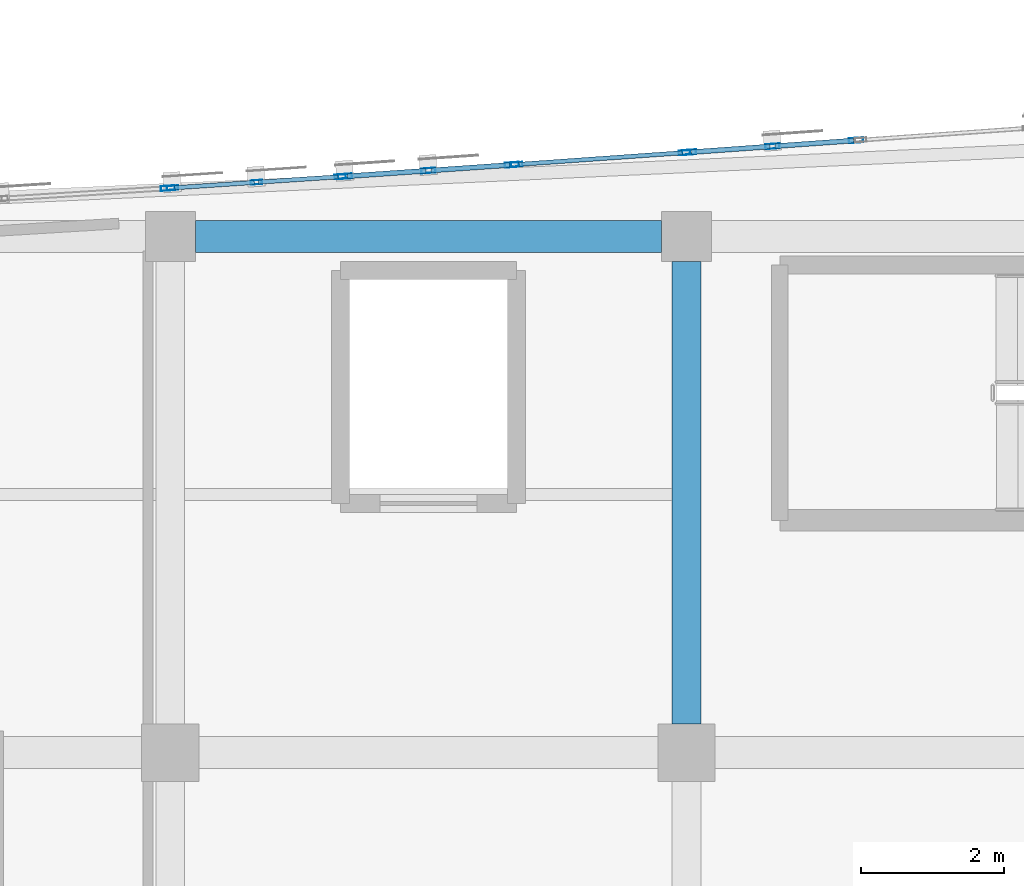
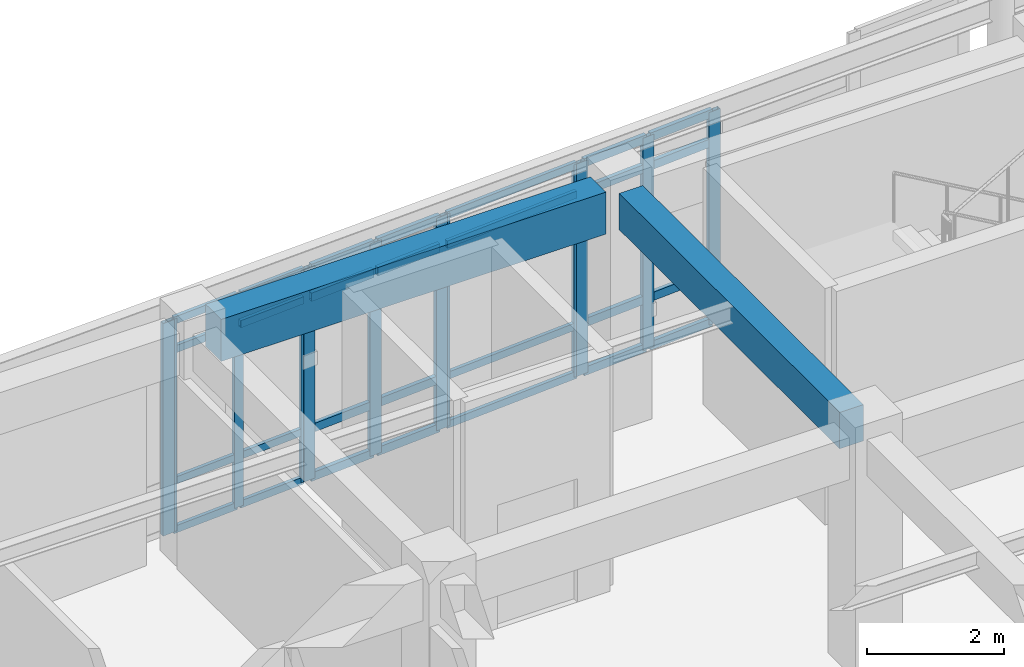
# One storey, part 29 of 106: 40 members, 2 beams, 5 elements without a shape of their own.
"""IFC4 building model written with IfcOpenShell, lengths in metres."""

from ifc_helpers import new_model, si_unit, direction, frame, origin, origin_2d, place, context, subcontext, project, spatial, rectangle, hollow_rectangle, extrude, material, layer, layer_set, material_profile, profile_set, type_object, element, aggregate, save


model = new_model("IFC4")

# Units and contexts
model_context = context("Model", 3, precision=1e-05, world=origin(), true_north=direction((0.0, 1.0)))
body_context = subcontext(model_context, "Body", "Model", "MODEL_VIEW")
ifc_project = project(units=[si_unit("LENGTHUNIT", "METRE"), si_unit("AREAUNIT", "SQUARE_METRE"), si_unit("VOLUMEUNIT", "CUBIC_METRE"), si_unit("PLANEANGLEUNIT", "RADIAN"), si_unit("MASSUNIT", "GRAM", prefix="KILO")], contexts=[model_context])

# Site, building, storey
site_placement = place(None, origin())
site = spatial("IfcSite", under=ifc_project, at=site_placement, CompositionType="ELEMENT")
building_placement = place(site_placement, origin())
building = spatial("IfcBuilding", under=site, at=building_placement, Name="Carrowvane Square Congress Hotel", CompositionType="ELEMENT")
storey_placement = place(building_placement, frame((0.0, 0.0, 10.5)))
storey = spatial("IfcBuildingStorey", under=building, at=storey_placement, Name="L02", CompositionType="ELEMENT", Elevation=10.5)

# Beams
ifc_material_1 = material(Name="Concrete C35/45", Category="concrete")
ifc_material_profile_1 = material_profile(ifc_material_1, rectangle(XDim=0.39990234375, YDim=0.64990234375, at=origin_2d()), Name="RC 400x650")
ifc_profile_set_1 = profile_set([ifc_material_profile_1], Name="Concrete C35/45")
beam_type_1 = type_object("IfcBeamType", Name="BM-RC-400x650", PredefinedType="BEAM", material=ifc_profile_set_1)
beam_1_placement = place(storey_placement, frame((54.800048828125, 106.60009765625, 3.89501953125), z_axis=(0.0, 1.0, 0.0), x_axis=(-1.0, 0.0, 0.0)))
element("IfcBeam", 1, at=beam_1_placement, inside=storey, type_object=beam_type_1, Name="L03 girder 7/Q-R", PredefinedType="BEAM", context=body_context, shape_type="SweptSolid", body=[
    extrude(rectangle(XDim=0.39990234375, YDim=0.64990234375, at=origin_2d()), origin(), (0.0, 0.0, 1.0), 6.449951171875),
])
ifc_material_2 = material(Name="Concrete C35/45", Category="concrete")
ifc_material_profile_2 = material_profile(ifc_material_2, rectangle(XDim=0.449951171875, YDim=0.75, at=origin_2d()), Name="RC 450x750")
ifc_profile_set_2 = profile_set([ifc_material_profile_2], Name="Concrete C35/45")
beam_type_2 = type_object("IfcBeamType", Name="BM-RC-450x750", PredefinedType="USERDEFINED", material=ifc_profile_set_2)
beam_2_placement = place(storey_placement, frame((47.949951171875, 113.39990234375, 3.844970703125), z_axis=(1.0, 0.0, 0.0), x_axis=(0.0, 1.0, 0.0)))
element("IfcBeam", 2, at=beam_2_placement, inside=storey, type_object=beam_type_2, Name="L03 girder R/6-7", ObjectType="GIRDER", PredefinedType="USERDEFINED", context=body_context, shape_type="SweptSolid", body=[
    extrude(rectangle(XDim=0.449951171875, YDim=0.75, at=origin_2d()), origin(), (0.0, 0.0, 1.0), 6.5),
])

# Curtain wall, members
ifc_material_3 = material(Name="Anodised aluminium", Category="aluminium")
ifc_layer_1 = layer(ifc_material_3, 0.23388671875)
ifc_layer_set_1 = layer_set([ifc_layer_1], Name="Anodised aluminium")
curtain_wall_type_1 = type_object("IfcCurtainWallType", Name="CW-SYS-7", PredefinedType="NOTDEFINED", material=ifc_layer_set_1)
curtain_wall_1_placement = place(storey_placement, origin())
curtain_wall_1 = element("IfcCurtainWall", 3, at=curtain_wall_1_placement, inside=storey, type_object=curtain_wall_type_1, Name="L02 unitised curtain wall 134", PredefinedType="NOTDEFINED")
ifc_material_4 = material(Name="Anodised aluminium", Category="aluminium")
ifc_material_profile_3 = material_profile(ifc_material_4, hollow_rectangle(XDim=0.06005859375, YDim=0.159912109375, WallThickness=0.00390625, at=origin_2d()), Name="CW-ML 60x160x4")
ifc_profile_set_3 = profile_set([ifc_material_profile_3], Name="Anodised aluminium")
member_type_1 = type_object("IfcMemberType", Name="CW-MUL-1", PredefinedType="MULLION", material=ifc_profile_set_3)
member_1_placement = place(storey_placement, frame((47.6298828125, 114.077392578125, 0.0), z_axis=(0.0, 0.0, 1.0), x_axis=(-0.066578061501, 0.99778121937, 0.0)))
member_1 = element("IfcMember", 4, at=member_1_placement, type_object=member_type_1, Name="CW-7 mullion 1", PredefinedType="MULLION", context=body_context, shape_type="SweptSolid", body=[
    extrude(hollow_rectangle(XDim=0.06005859375, YDim=0.159912109375, WallThickness=0.00390625, at=origin_2d()), origin(), (0.0, 0.0, 1.0), 3.795654296875),
])
member_2_placement = place(storey_placement, frame((48.800048828125, 114.155517578125, 0.0), z_axis=(0.0, 0.0, 1.0), x_axis=(-0.066578061501, 0.99778121937, 0.0)))
member_2 = element("IfcMember", 5, at=member_2_placement, type_object=member_type_1, Name="CW-7 mullion 2", PredefinedType="MULLION", context=body_context, shape_type="SweptSolid", body=[
    extrude(hollow_rectangle(XDim=0.06005859375, YDim=0.159912109375, WallThickness=0.00390625, at=origin_2d()), origin(), (0.0, 0.0, 1.0), 3.795654296875),
])
member_3_placement = place(storey_placement, frame((49.969970703125, 114.2333984375, 0.0), z_axis=(0.0, 0.0, 1.0), x_axis=(-0.066578061501, 0.99778121937, 0.0)))
member_3 = element("IfcMember", 6, at=member_3_placement, type_object=member_type_1, Name="CW-7 mullion 3", PredefinedType="MULLION", context=body_context, shape_type="SweptSolid", body=[
    extrude(hollow_rectangle(XDim=0.06005859375, YDim=0.159912109375, WallThickness=0.00390625, at=origin_2d()), origin(), (0.0, 0.0, 1.0), 3.795654296875),
])

ifc_material_5 = material(Name="Anodised aluminium", Category="aluminium")
ifc_layer_2 = layer(ifc_material_5, 0.162109375)
ifc_layer_set_2 = layer_set([ifc_layer_2], Name="Anodised aluminium")
curtain_wall_type_2 = type_object("IfcCurtainWallType", Name="CW-SYS-1", PredefinedType="NOTDEFINED", material=ifc_layer_set_2)
curtain_wall_2_placement = place(storey_placement, origin())
curtain_wall_2 = element("IfcCurtainWall", 7, at=curtain_wall_2_placement, inside=storey, type_object=curtain_wall_type_2, Name="L02 unitised curtain wall 136", PredefinedType="NOTDEFINED")
member_4_placement = place(storey_placement, frame((52.429931640625, 114.403564453125, 0.0), z_axis=(0.0, 0.0, 1.0), x_axis=(-0.070585996942, 0.997505697746, 0.0)))
member_4 = element("IfcMember", 8, at=member_4_placement, type_object=member_type_1, Name="CW-1 mullion 1", PredefinedType="MULLION", context=body_context, shape_type="SweptSolid", body=[
    extrude(hollow_rectangle(XDim=0.06005859375, YDim=0.159912109375, WallThickness=0.00390625, at=origin_2d()), origin(), (0.0, 0.0, 1.0), 3.795654296875),
])
member_5_placement = place(storey_placement, frame((54.77001953125, 114.569091796875, 0.0), z_axis=(0.0, 0.0, 1.0), x_axis=(-0.070585996942, 0.997505697746, 0.0)))
member_5 = element("IfcMember", 9, at=member_5_placement, type_object=member_type_1, Name="CW-1 mullion 2", PredefinedType="MULLION", context=body_context, shape_type="SweptSolid", body=[
    extrude(hollow_rectangle(XDim=0.06005859375, YDim=0.159912109375, WallThickness=0.00390625, at=origin_2d()), origin(), (0.0, 0.0, 1.0), 3.795654296875),
])

# Curtain wall, member
ifc_material_6 = material(Name="Anodised aluminium", Category="aluminium")
ifc_layer_3 = layer(ifc_material_6, 0.221923828125)
ifc_layer_set_3 = layer_set([ifc_layer_3], Name="Anodised aluminium")
curtain_wall_type_3 = type_object("IfcCurtainWallType", Name="CW-SYS-6", PredefinedType="NOTDEFINED", material=ifc_layer_set_3)
curtain_wall_3_placement = place(storey_placement, origin())
curtain_wall_3 = element("IfcCurtainWall", 10, at=curtain_wall_3_placement, inside=storey, type_object=curtain_wall_type_3, Name="L02 unitised curtain wall 133", PredefinedType="NOTDEFINED")
ifc_material_7 = material(Name="Anodised aluminium", Category="aluminium")
ifc_material_profile_4 = material_profile(ifc_material_7, hollow_rectangle(XDim=0.070068359375, YDim=0.199951171875, WallThickness=0.0048828125, at=origin_2d()), Name="CW-ML 70x200x5")
ifc_profile_set_4 = profile_set([ifc_material_profile_4], Name="Anodised aluminium")
member_type_2 = type_object("IfcMemberType", Name="CW-MUL-2", PredefinedType="MULLION", material=ifc_profile_set_4)
member_6_placement = place(storey_placement, frame((47.56494140625, 114.0732421875, 0.0), z_axis=(0.0, 0.0, 1.0), x_axis=(-0.063273487972, 0.997996225303, 0.0)))
member_6 = element("IfcMember", 11, at=member_6_placement, type_object=member_type_2, Name="CW-6 mullion 2", PredefinedType="MULLION", context=body_context, shape_type="SweptSolid", body=[
    extrude(hollow_rectangle(XDim=0.070068359375, YDim=0.199951171875, WallThickness=0.0048828125, at=origin_2d()), origin(), (0.0, 0.0, 1.0), 3.795654296875),
])
aggregate(curtain_wall_3, [member_6])

# Curtain wall, members
ifc_material_8 = material(Name="Anodised aluminium", Category="aluminium")
ifc_layer_4 = layer(ifc_material_8, 0.24609375)
ifc_layer_set_4 = layer_set([ifc_layer_4], Name="Anodised aluminium")
curtain_wall_type_4 = type_object("IfcCurtainWallType", Name="CW-SYS-8", PredefinedType="NOTDEFINED", material=ifc_layer_set_4)
curtain_wall_4_placement = place(storey_placement, origin())
curtain_wall_4 = element("IfcCurtainWall", 12, at=curtain_wall_4_placement, inside=storey, type_object=curtain_wall_type_4, Name="L02 unitised curtain wall 135", PredefinedType="NOTDEFINED")
member_7_placement = place(storey_placement, frame((50.034912109375, 114.23779296875, 0.0), z_axis=(0.0, 0.0, 1.0), x_axis=(-0.068986120725, 0.997617619706, 0.0)))
member_7 = element("IfcMember", 13, at=member_7_placement, type_object=member_type_2, Name="CW-8 mullion 1", PredefinedType="MULLION", context=body_context, shape_type="SweptSolid", body=[
    extrude(hollow_rectangle(XDim=0.070068359375, YDim=0.199951171875, WallThickness=0.0048828125, at=origin_2d()), origin(), (0.0, 0.0, 1.0), 3.795654296875),
])
member_8_placement = place(storey_placement, frame((51.199951171875, 114.318359375, 0.0), z_axis=(0.0, 0.0, 1.0), x_axis=(-0.068986120725, 0.997617619706, 0.0)))
member_8 = element("IfcMember", 14, at=member_8_placement, type_object=member_type_2, Name="CW-8 mullion 2", PredefinedType="MULLION", context=body_context, shape_type="SweptSolid", body=[
    extrude(hollow_rectangle(XDim=0.070068359375, YDim=0.199951171875, WallThickness=0.0048828125, at=origin_2d()), origin(), (0.0, 0.0, 1.0), 3.795654296875),
])
member_9_placement = place(storey_placement, frame((52.364990234375, 114.39892578125, 0.0), z_axis=(0.0, 0.0, 1.0), x_axis=(-0.068986120725, 0.997617619706, 0.0)))
member_9 = element("IfcMember", 15, at=member_9_placement, type_object=member_type_2, Name="CW-8 mullion 3", PredefinedType="MULLION", context=body_context, shape_type="SweptSolid", body=[
    extrude(hollow_rectangle(XDim=0.070068359375, YDim=0.199951171875, WallThickness=0.0048828125, at=origin_2d()), origin(), (0.0, 0.0, 1.0), 3.795654296875),
])

ifc_material_9 = material(Name="Anodised aluminium", Category="aluminium")
ifc_layer_5 = layer(ifc_material_9, 0.174072265625)
ifc_layer_set_5 = layer_set([ifc_layer_5], Name="Anodised aluminium")
curtain_wall_type_5 = type_object("IfcCurtainWallType", Name="CW-SYS-2", PredefinedType="NOTDEFINED", material=ifc_layer_set_5)
curtain_wall_5_placement = place(storey_placement, origin())
curtain_wall_5 = element("IfcCurtainWall", 16, at=curtain_wall_5_placement, inside=storey, type_object=curtain_wall_type_5, Name="L02 unitised curtain wall 137", PredefinedType="NOTDEFINED")
member_10_placement = place(storey_placement, frame((54.8349609375, 114.57373046875, 0.0), z_axis=(0.0, 0.0, 1.0), x_axis=(-0.071418356042, 0.997446448898, 0.0)))
member_10 = element("IfcMember", 17, at=member_10_placement, type_object=member_type_2, Name="CW-2 mullion 1", PredefinedType="MULLION", context=body_context, shape_type="SweptSolid", body=[
    extrude(hollow_rectangle(XDim=0.070068359375, YDim=0.199951171875, WallThickness=0.0048828125, at=origin_2d()), origin(), (0.0, 0.0, 1.0), 3.795654296875),
])
member_11_placement = place(storey_placement, frame((56.0, 114.6572265625, 0.0), z_axis=(0.0, 0.0, 1.0), x_axis=(-0.071418356042, 0.997446448898, 0.0)))
member_11 = element("IfcMember", 18, at=member_11_placement, type_object=member_type_2, Name="CW-2 mullion 2", PredefinedType="MULLION", context=body_context, shape_type="SweptSolid", body=[
    extrude(hollow_rectangle(XDim=0.070068359375, YDim=0.199951171875, WallThickness=0.0048828125, at=origin_2d()), origin(), (0.0, 0.0, 1.0), 3.795654296875),
])
member_12_placement = place(storey_placement, frame((57.1650390625, 114.74072265625, 0.0), z_axis=(0.0, 0.0, 1.0), x_axis=(-0.071418356042, 0.997446448898, 0.0)))
member_12 = element("IfcMember", 19, at=member_12_placement, type_object=member_type_2, Name="CW-2 mullion 3", PredefinedType="MULLION", context=body_context, shape_type="SweptSolid", body=[
    extrude(hollow_rectangle(XDim=0.070068359375, YDim=0.199951171875, WallThickness=0.0048828125, at=origin_2d()), origin(), (0.0, 0.0, 1.0), 3.795654296875),
])

# Member
ifc_material_10 = material(Name="Anodised aluminium", Category="aluminium")
ifc_material_profile_5 = material_profile(ifc_material_10, hollow_rectangle(XDim=0.06005859375, YDim=0.1298828125, WallThickness=0.00390625, at=origin_2d()), Name="CW-TR 60x130x4")
ifc_profile_set_5 = profile_set([ifc_material_profile_5], Name="Anodised aluminium")
member_type_3 = type_object("IfcMemberType", Name="CW-TRN-1", PredefinedType="USERDEFINED", material=ifc_profile_set_5)
member_13_placement = place(storey_placement, frame((47.659912109375, 114.079345703125, 0.030029296875), z_axis=(0.997787099366, 0.066489881484, 0.0), x_axis=(-0.066489881484, 0.997787099366, 0.0)))
member_13 = element("IfcMember", 20, at=member_13_placement, type_object=member_type_3, Name="CW-7 transom 1.1", ObjectType="TRANSOM", PredefinedType="USERDEFINED", context=body_context, shape_type="SweptSolid", body=[
    extrude(hollow_rectangle(XDim=0.06005859375, YDim=0.1298828125, WallThickness=0.00390625, at=origin_2d()), origin(), (0.0, 0.0, 1.0), 1.112548828125),
])

member_14_placement = place(storey_placement, frame((47.659912109375, 114.079345703125, 0.89990234375), z_axis=(0.997787099366, 0.066489881484, 0.0), x_axis=(-0.066489881484, 0.997787099366, 0.0)))
member_14 = element("IfcMember", 21, at=member_14_placement, type_object=member_type_3, Name="CW-7 transom 1.2", ObjectType="TRANSOM", PredefinedType="USERDEFINED", context=body_context, shape_type="SweptSolid", body=[
    extrude(hollow_rectangle(XDim=0.06005859375, YDim=0.1298828125, WallThickness=0.00390625, at=origin_2d()), origin(), (0.0, 0.0, 1.0), 1.112548828125),
])

member_15_placement = place(storey_placement, frame((47.659912109375, 114.079345703125, 3.24560546875), z_axis=(0.997787099366, 0.066489881484, 0.0), x_axis=(-0.066489881484, 0.997787099366, 0.0)))
member_15 = element("IfcMember", 22, at=member_15_placement, type_object=member_type_3, Name="CW-7 transom 1.3", ObjectType="TRANSOM", PredefinedType="USERDEFINED", context=body_context, shape_type="SweptSolid", body=[
    extrude(hollow_rectangle(XDim=0.06005859375, YDim=0.1298828125, WallThickness=0.00390625, at=origin_2d()), origin(), (0.0, 0.0, 1.0), 1.112548828125),
])

member_16_placement = place(storey_placement, frame((47.659912109375, 114.079345703125, 3.765625), z_axis=(0.997787099366, 0.066489881484, 0.0), x_axis=(-0.066489881484, 0.997787099366, 0.0)))
member_16 = element("IfcMember", 23, at=member_16_placement, type_object=member_type_3, Name="CW-7 transom 1.4", ObjectType="TRANSOM", PredefinedType="USERDEFINED", context=body_context, shape_type="SweptSolid", body=[
    extrude(hollow_rectangle(XDim=0.06005859375, YDim=0.1298828125, WallThickness=0.00390625, at=origin_2d()), origin(), (0.0, 0.0, 1.0), 1.112548828125),
])

member_17_placement = place(storey_placement, frame((48.829833984375, 114.157470703125, 0.030029296875), z_axis=(0.997788069164, 0.066475326508, 0.0), x_axis=(-0.066475326508, 0.997788069164, 0.0)))
member_17 = element("IfcMember", 24, at=member_17_placement, type_object=member_type_3, Name="CW-7 transom 2.1", ObjectType="TRANSOM", PredefinedType="USERDEFINED", context=body_context, shape_type="SweptSolid", body=[
    extrude(hollow_rectangle(XDim=0.06005859375, YDim=0.1298828125, WallThickness=0.00390625, at=origin_2d()), origin(), (0.0, 0.0, 1.0), 1.11279296875),
])

member_18_placement = place(storey_placement, frame((48.829833984375, 114.157470703125, 0.89990234375), z_axis=(0.997788069164, 0.066475326508, 0.0), x_axis=(-0.066475326508, 0.997788069164, 0.0)))
member_18 = element("IfcMember", 25, at=member_18_placement, type_object=member_type_3, Name="CW-7 transom 2.2", ObjectType="TRANSOM", PredefinedType="USERDEFINED", context=body_context, shape_type="SweptSolid", body=[
    extrude(hollow_rectangle(XDim=0.06005859375, YDim=0.1298828125, WallThickness=0.00390625, at=origin_2d()), origin(), (0.0, 0.0, 1.0), 1.11279296875),
])

member_19_placement = place(storey_placement, frame((48.829833984375, 114.157470703125, 3.24560546875), z_axis=(0.997788069164, 0.066475326508, 0.0), x_axis=(-0.066475326508, 0.997788069164, 0.0)))
member_19 = element("IfcMember", 26, at=member_19_placement, type_object=member_type_3, Name="CW-7 transom 2.3", ObjectType="TRANSOM", PredefinedType="USERDEFINED", context=body_context, shape_type="SweptSolid", body=[
    extrude(hollow_rectangle(XDim=0.06005859375, YDim=0.1298828125, WallThickness=0.00390625, at=origin_2d()), origin(), (0.0, 0.0, 1.0), 1.11279296875),
])

member_20_placement = place(storey_placement, frame((48.829833984375, 114.157470703125, 3.765625), z_axis=(0.997788069164, 0.066475326508, 0.0), x_axis=(-0.066475326508, 0.997788069164, 0.0)))
member_20 = element("IfcMember", 27, at=member_20_placement, type_object=member_type_3, Name="CW-7 transom 2.4", ObjectType="TRANSOM", PredefinedType="USERDEFINED", context=body_context, shape_type="SweptSolid", body=[
    extrude(hollow_rectangle(XDim=0.06005859375, YDim=0.1298828125, WallThickness=0.00390625, at=origin_2d()), origin(), (0.0, 0.0, 1.0), 1.11279296875),
])

aggregate(curtain_wall_1, [member_1, member_2, member_3, member_13, member_14, member_15, member_16, member_17, member_18, member_19, member_20])

member_21_placement = place(storey_placement, frame((52.4599609375, 114.40576171875, 0.030029296875), z_axis=(0.997505109293, 0.070594312339, 0.0), x_axis=(-0.070594312339, 0.997505109293, 0.0)))
member_21 = element("IfcMember", 28, at=member_21_placement, type_object=member_type_3, Name="CW-1 transom 1.1", ObjectType="TRANSOM", PredefinedType="USERDEFINED", context=body_context, shape_type="SweptSolid", body=[
    extrude(hollow_rectangle(XDim=0.06005859375, YDim=0.1298828125, WallThickness=0.00390625, at=origin_2d()), origin(), (0.0, 0.0, 1.0), 2.285888671875),
])

member_22_placement = place(storey_placement, frame((52.4599609375, 114.40576171875, 0.89990234375), z_axis=(0.997505109293, 0.070594312339, 0.0), x_axis=(-0.070594312339, 0.997505109293, 0.0)))
member_22 = element("IfcMember", 29, at=member_22_placement, type_object=member_type_3, Name="CW-1 transom 1.2", ObjectType="TRANSOM", PredefinedType="USERDEFINED", context=body_context, shape_type="SweptSolid", body=[
    extrude(hollow_rectangle(XDim=0.06005859375, YDim=0.1298828125, WallThickness=0.00390625, at=origin_2d()), origin(), (0.0, 0.0, 1.0), 2.285888671875),
])

member_23_placement = place(storey_placement, frame((52.4599609375, 114.40576171875, 3.24560546875), z_axis=(0.997505109293, 0.070594312339, 0.0), x_axis=(-0.070594312339, 0.997505109293, 0.0)))
member_23 = element("IfcMember", 30, at=member_23_placement, type_object=member_type_3, Name="CW-1 transom 1.3", ObjectType="TRANSOM", PredefinedType="USERDEFINED", context=body_context, shape_type="SweptSolid", body=[
    extrude(hollow_rectangle(XDim=0.06005859375, YDim=0.1298828125, WallThickness=0.00390625, at=origin_2d()), origin(), (0.0, 0.0, 1.0), 2.285888671875),
])

member_24_placement = place(storey_placement, frame((52.4599609375, 114.40576171875, 3.765625), z_axis=(0.997505109293, 0.070594312339, 0.0), x_axis=(-0.070594312339, 0.997505109293, 0.0)))
member_24 = element("IfcMember", 31, at=member_24_placement, type_object=member_type_3, Name="CW-1 transom 1.4", ObjectType="TRANSOM", PredefinedType="USERDEFINED", context=body_context, shape_type="SweptSolid", body=[
    extrude(hollow_rectangle(XDim=0.06005859375, YDim=0.1298828125, WallThickness=0.00390625, at=origin_2d()), origin(), (0.0, 0.0, 1.0), 2.285888671875),
])

aggregate(curtain_wall_2, [member_4, member_5, member_21, member_22, member_23, member_24])

ifc_material_11 = material(Name="Anodised aluminium", Category="aluminium")
ifc_material_profile_6 = material_profile(ifc_material_11, hollow_rectangle(XDim=0.070068359375, YDim=0.14990234375, WallThickness=0.0048828125, at=origin_2d()), Name="CW-TR 70x150x5")
ifc_profile_set_6 = profile_set([ifc_material_profile_6], Name="Anodised aluminium")
member_type_4 = type_object("IfcMemberType", Name="CW-TRN-2", PredefinedType="USERDEFINED", material=ifc_profile_set_6)
member_25_placement = place(storey_placement, frame((50.06982421875, 114.240234375, 0.034912109375), z_axis=(0.997605525586, 0.069160793236, 0.0), x_axis=(-0.069160793236, 0.997605525586, 0.0)))
member_25 = element("IfcMember", 32, at=member_25_placement, type_object=member_type_4, Name="CW-8 transom 1.1", ObjectType="TRANSOM", PredefinedType="USERDEFINED", context=body_context, shape_type="SweptSolid", body=[
    extrude(hollow_rectangle(XDim=0.070068359375, YDim=0.14990234375, WallThickness=0.0048828125, at=origin_2d()), origin(), (0.0, 0.0, 1.0), 1.097900390625),
])

member_26_placement = place(storey_placement, frame((50.06982421875, 114.240234375, 0.89990234375), z_axis=(0.997605525586, 0.069160793236, 0.0), x_axis=(-0.069160793236, 0.997605525586, 0.0)))
member_26 = element("IfcMember", 33, at=member_26_placement, type_object=member_type_4, Name="CW-8 transom 1.2", ObjectType="TRANSOM", PredefinedType="USERDEFINED", context=body_context, shape_type="SweptSolid", body=[
    extrude(hollow_rectangle(XDim=0.070068359375, YDim=0.14990234375, WallThickness=0.0048828125, at=origin_2d()), origin(), (0.0, 0.0, 1.0), 1.097900390625),
])

member_27_placement = place(storey_placement, frame((50.06982421875, 114.240234375, 3.24560546875), z_axis=(0.997605525586, 0.069160793236, 0.0), x_axis=(-0.069160793236, 0.997605525586, 0.0)))
member_27 = element("IfcMember", 34, at=member_27_placement, type_object=member_type_4, Name="CW-8 transom 1.3", ObjectType="TRANSOM", PredefinedType="USERDEFINED", context=body_context, shape_type="SweptSolid", body=[
    extrude(hollow_rectangle(XDim=0.070068359375, YDim=0.14990234375, WallThickness=0.0048828125, at=origin_2d()), origin(), (0.0, 0.0, 1.0), 1.097900390625),
])

member_28_placement = place(storey_placement, frame((50.06982421875, 114.240234375, 3.760498046875), z_axis=(0.997605525586, 0.069160793236, 0.0), x_axis=(-0.069160793236, 0.997605525586, 0.0)))
member_28 = element("IfcMember", 35, at=member_28_placement, type_object=member_type_4, Name="CW-8 transom 1.4", ObjectType="TRANSOM", PredefinedType="USERDEFINED", context=body_context, shape_type="SweptSolid", body=[
    extrude(hollow_rectangle(XDim=0.070068359375, YDim=0.14990234375, WallThickness=0.0048828125, at=origin_2d()), origin(), (0.0, 0.0, 1.0), 1.097900390625),
])

member_29_placement = place(storey_placement, frame((51.23486328125, 114.32080078125, 0.034912109375), z_axis=(0.997605525586, 0.069160793236, 0.0), x_axis=(-0.069160793236, 0.997605525586, 0.0)))
member_29 = element("IfcMember", 36, at=member_29_placement, type_object=member_type_4, Name="CW-8 transom 2.1", ObjectType="TRANSOM", PredefinedType="USERDEFINED", context=body_context, shape_type="SweptSolid", body=[
    extrude(hollow_rectangle(XDim=0.070068359375, YDim=0.14990234375, WallThickness=0.0048828125, at=origin_2d()), origin(), (0.0, 0.0, 1.0), 1.097900390625),
])

member_30_placement = place(storey_placement, frame((51.23486328125, 114.32080078125, 0.89990234375), z_axis=(0.997605525586, 0.069160793236, 0.0), x_axis=(-0.069160793236, 0.997605525586, 0.0)))
member_30 = element("IfcMember", 37, at=member_30_placement, type_object=member_type_4, Name="CW-8 transom 2.2", ObjectType="TRANSOM", PredefinedType="USERDEFINED", context=body_context, shape_type="SweptSolid", body=[
    extrude(hollow_rectangle(XDim=0.070068359375, YDim=0.14990234375, WallThickness=0.0048828125, at=origin_2d()), origin(), (0.0, 0.0, 1.0), 1.097900390625),
])

member_31_placement = place(storey_placement, frame((51.23486328125, 114.32080078125, 3.24560546875), z_axis=(0.997605525586, 0.069160793236, 0.0), x_axis=(-0.069160793236, 0.997605525586, 0.0)))
member_31 = element("IfcMember", 38, at=member_31_placement, type_object=member_type_4, Name="CW-8 transom 2.3", ObjectType="TRANSOM", PredefinedType="USERDEFINED", context=body_context, shape_type="SweptSolid", body=[
    extrude(hollow_rectangle(XDim=0.070068359375, YDim=0.14990234375, WallThickness=0.0048828125, at=origin_2d()), origin(), (0.0, 0.0, 1.0), 1.097900390625),
])

member_32_placement = place(storey_placement, frame((51.23486328125, 114.32080078125, 3.760498046875), z_axis=(0.997605525586, 0.069160793236, 0.0), x_axis=(-0.069160793236, 0.997605525586, 0.0)))
member_32 = element("IfcMember", 39, at=member_32_placement, type_object=member_type_4, Name="CW-8 transom 2.4", ObjectType="TRANSOM", PredefinedType="USERDEFINED", context=body_context, shape_type="SweptSolid", body=[
    extrude(hollow_rectangle(XDim=0.070068359375, YDim=0.14990234375, WallThickness=0.0048828125, at=origin_2d()), origin(), (0.0, 0.0, 1.0), 1.097900390625),
])

aggregate(curtain_wall_4, [member_7, member_8, member_9, member_25, member_26, member_27, member_28, member_29, member_30, member_31, member_32])

member_33_placement = place(storey_placement, frame((54.869873046875, 114.576171875, 0.034912109375), z_axis=(0.997433808996, 0.071594669304, 0.0), x_axis=(-0.071594669304, 0.997433808996, 0.0)))
member_33 = element("IfcMember", 40, at=member_33_placement, type_object=member_type_4, Name="CW-2 transom 1.1", ObjectType="TRANSOM", PredefinedType="USERDEFINED", context=body_context, shape_type="SweptSolid", body=[
    extrude(hollow_rectangle(XDim=0.070068359375, YDim=0.14990234375, WallThickness=0.0048828125, at=origin_2d()), origin(), (0.0, 0.0, 1.0), 1.09814453125),
])

member_34_placement = place(storey_placement, frame((54.869873046875, 114.576171875, 0.89990234375), z_axis=(0.997433808996, 0.071594669304, 0.0), x_axis=(-0.071594669304, 0.997433808996, 0.0)))
member_34 = element("IfcMember", 41, at=member_34_placement, type_object=member_type_4, Name="CW-2 transom 1.2", ObjectType="TRANSOM", PredefinedType="USERDEFINED", context=body_context, shape_type="SweptSolid", body=[
    extrude(hollow_rectangle(XDim=0.070068359375, YDim=0.14990234375, WallThickness=0.0048828125, at=origin_2d()), origin(), (0.0, 0.0, 1.0), 1.09814453125),
])

member_35_placement = place(storey_placement, frame((54.869873046875, 114.576171875, 3.24560546875), z_axis=(0.997433808996, 0.071594669304, 0.0), x_axis=(-0.071594669304, 0.997433808996, 0.0)))
member_35 = element("IfcMember", 42, at=member_35_placement, type_object=member_type_4, Name="CW-2 transom 1.3", ObjectType="TRANSOM", PredefinedType="USERDEFINED", context=body_context, shape_type="SweptSolid", body=[
    extrude(hollow_rectangle(XDim=0.070068359375, YDim=0.14990234375, WallThickness=0.0048828125, at=origin_2d()), origin(), (0.0, 0.0, 1.0), 1.09814453125),
])

member_36_placement = place(storey_placement, frame((54.869873046875, 114.576171875, 3.760498046875), z_axis=(0.997433808996, 0.071594669304, 0.0), x_axis=(-0.071594669304, 0.997433808996, 0.0)))
member_36 = element("IfcMember", 43, at=member_36_placement, type_object=member_type_4, Name="CW-2 transom 1.4", ObjectType="TRANSOM", PredefinedType="USERDEFINED", context=body_context, shape_type="SweptSolid", body=[
    extrude(hollow_rectangle(XDim=0.070068359375, YDim=0.14990234375, WallThickness=0.0048828125, at=origin_2d()), origin(), (0.0, 0.0, 1.0), 1.09814453125),
])

member_37_placement = place(storey_placement, frame((56.034912109375, 114.65966796875, 0.034912109375), z_axis=(0.997449662492, 0.071373460022, 0.0), x_axis=(-0.071373460022, 0.997449662492, 0.0)))
member_37 = element("IfcMember", 44, at=member_37_placement, type_object=member_type_4, Name="CW-2 transom 2.1", ObjectType="TRANSOM", PredefinedType="USERDEFINED", context=body_context, shape_type="SweptSolid", body=[
    extrude(hollow_rectangle(XDim=0.070068359375, YDim=0.14990234375, WallThickness=0.0048828125, at=origin_2d()), origin(), (0.0, 0.0, 1.0), 1.097900390625),
])

member_38_placement = place(storey_placement, frame((56.034912109375, 114.65966796875, 0.89990234375), z_axis=(0.997449662492, 0.071373460022, 0.0), x_axis=(-0.071373460022, 0.997449662492, 0.0)))
member_38 = element("IfcMember", 45, at=member_38_placement, type_object=member_type_4, Name="CW-2 transom 2.2", ObjectType="TRANSOM", PredefinedType="USERDEFINED", context=body_context, shape_type="SweptSolid", body=[
    extrude(hollow_rectangle(XDim=0.070068359375, YDim=0.14990234375, WallThickness=0.0048828125, at=origin_2d()), origin(), (0.0, 0.0, 1.0), 1.097900390625),
])

member_39_placement = place(storey_placement, frame((56.034912109375, 114.65966796875, 3.24560546875), z_axis=(0.997449662492, 0.071373460022, 0.0), x_axis=(-0.071373460022, 0.997449662492, 0.0)))
member_39 = element("IfcMember", 46, at=member_39_placement, type_object=member_type_4, Name="CW-2 transom 2.3", ObjectType="TRANSOM", PredefinedType="USERDEFINED", context=body_context, shape_type="SweptSolid", body=[
    extrude(hollow_rectangle(XDim=0.070068359375, YDim=0.14990234375, WallThickness=0.0048828125, at=origin_2d()), origin(), (0.0, 0.0, 1.0), 1.097900390625),
])

member_40_placement = place(storey_placement, frame((56.034912109375, 114.65966796875, 3.760498046875), z_axis=(0.997449662492, 0.071373460022, 0.0), x_axis=(-0.071373460022, 0.997449662492, 0.0)))
member_40 = element("IfcMember", 47, at=member_40_placement, type_object=member_type_4, Name="CW-2 transom 2.4", ObjectType="TRANSOM", PredefinedType="USERDEFINED", context=body_context, shape_type="SweptSolid", body=[
    extrude(hollow_rectangle(XDim=0.070068359375, YDim=0.14990234375, WallThickness=0.0048828125, at=origin_2d()), origin(), (0.0, 0.0, 1.0), 1.097900390625),
])

aggregate(curtain_wall_5, [member_10, member_11, member_12, member_33, member_34, member_35, member_36, member_37, member_38, member_39, member_40])

save(model, "model.ifc")
